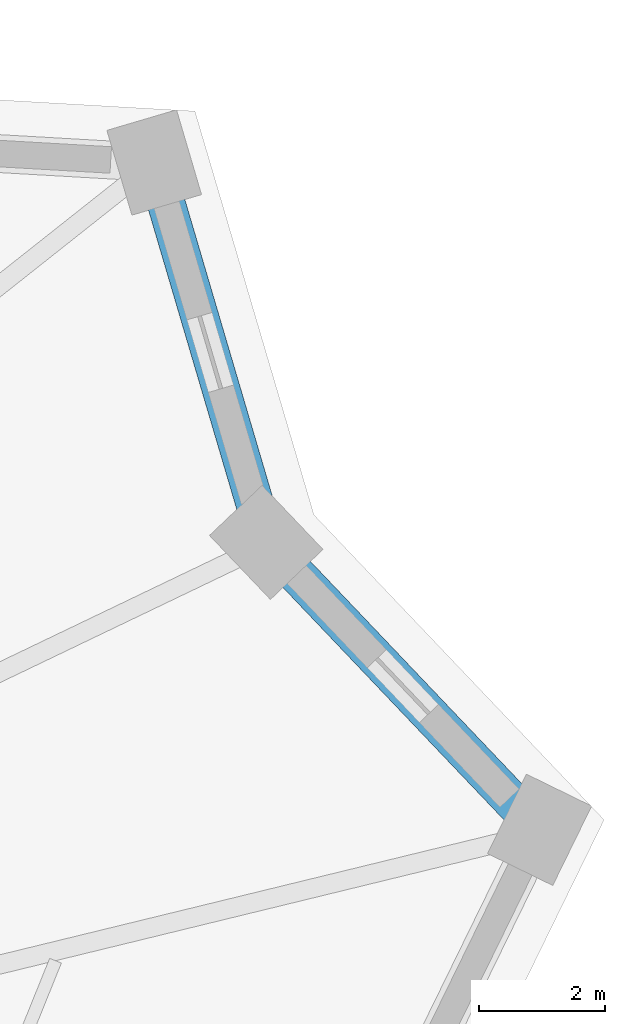
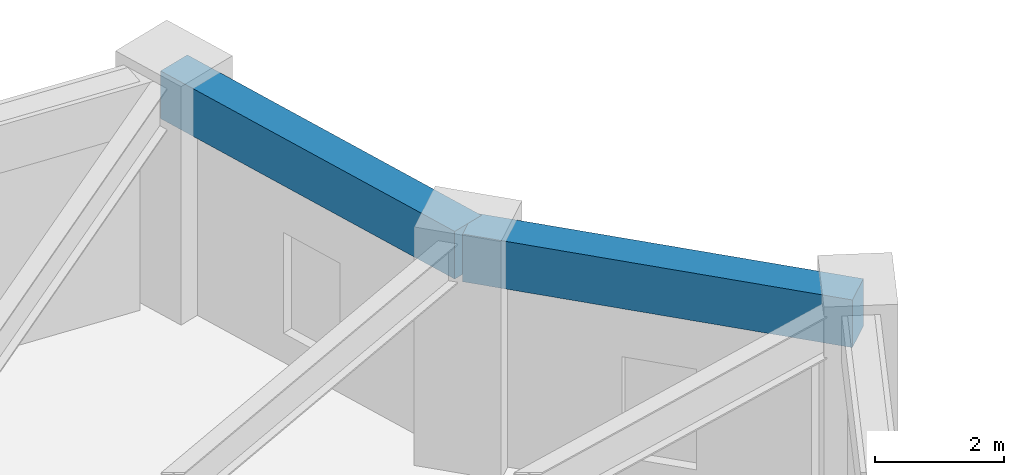
# One storey, part 17 of 30: 2 beams.
"""IFC4 building model written with IfcOpenShell, lengths in metres."""

from ifc_helpers import new_model, si_unit, direction, frame, origin, origin_2d, place, context, subcontext, project, spatial, rectangle, extrude, source, transform, mapped, material, material_profile, profile_set, type_object, element, save


model = new_model("IFC4")

# Units and contexts
model_context = context("Model", 3, precision=1e-05, world=origin(), true_north=direction((0.0, 1.0)))
body_context = subcontext(model_context, "Body", "Model", "MODEL_VIEW")
ifc_project = project(units=[si_unit("LENGTHUNIT", "METRE"), si_unit("AREAUNIT", "SQUARE_METRE"), si_unit("VOLUMEUNIT", "CUBIC_METRE"), si_unit("PLANEANGLEUNIT", "RADIAN"), si_unit("MASSUNIT", "GRAM", prefix="KILO")], contexts=[model_context])

# Site, building, storey
site_placement = place(None, origin())
site = spatial("IfcSite", under=ifc_project, at=site_placement, CompositionType="ELEMENT")
building_placement = place(site_placement, origin())
building = spatial("IfcBuilding", under=site, at=building_placement, Name="Liaohun Quay Tower", CompositionType="ELEMENT")
storey_placement = place(building_placement, frame((0.0, 0.0, 97.5)))
storey = spatial("IfcBuildingStorey", under=building, at=storey_placement, Name="L25", CompositionType="ELEMENT", Elevation=97.5)

# Beams
ifc_material = material(Name="Precast concrete C55", Category="concrete")
ifc_material_profile = material_profile(ifc_material, rectangle(XDim=0.60009765625, YDim=0.89990234375, at=origin_2d()), Name="RC600x900")
ifc_profile_set = profile_set([ifc_material_profile], Name="Precast concrete C55")
beam_type = type_object("IfcBeamType", Name="BM-SPD-Z2", PredefinedType="SPANDREL", material=ifc_profile_set)
shared_shape_1 = source(origin(), body_context, "Body", "SweptSolid", [
    extrude(rectangle(XDim=0.60009765625, YDim=0.89990234375, at=origin_2d()), origin(), (0.0, 0.0, 1.0), 6.28369140625),
])
beam_1_placement = place(storey_placement, frame((92.8720703125, 72.97900390625, 3.8701171875), z_axis=(0.689207796105, -0.724563740321, 0.0), x_axis=(0.724563740321, 0.689207796105, 0.0)))
element("IfcBeam", 1, at=beam_1_placement, inside=storey, type_object=beam_type, Name="L25 Precast Spandrel Beam PC08-PC09", PredefinedType="SPANDREL", context=body_context, shape_type="MappedRepresentation", body=[
    mapped(shared_shape_1, transform((0.0, 0.0, 0.0), x_axis=(1.0, 0.0, 0.0), y_axis=(0.0, 1.0, 0.0), z_axis=(0.0, 0.0, 1.0), scale=1.0)),
])
shared_shape_2 = source(origin(), body_context, "Body", "SweptSolid", [
    extrude(rectangle(XDim=0.60009765625, YDim=0.89990234375, at=origin_2d()), origin(), (0.0, 0.0, 1.0), 6.2763671875),
])
beam_2_placement = place(storey_placement, frame((91.096923828125, 78.9990234375, 3.8701171875), z_axis=(0.282833854836, -0.959168916593, 0.0), x_axis=(0.959168916593, 0.282833854836, 0.0)))
element("IfcBeam", 2, at=beam_2_placement, inside=storey, type_object=beam_type, Name="L25 Precast Spandrel Beam PC07-PC08", PredefinedType="SPANDREL", context=body_context, shape_type="MappedRepresentation", body=[
    mapped(shared_shape_2, transform((0.0, 0.0, 0.0), x_axis=(1.0, 0.0, 0.0), y_axis=(0.0, 1.0, 0.0), z_axis=(0.0, 0.0, 1.0), scale=1.0)),
])

save(model, "model.ifc")
